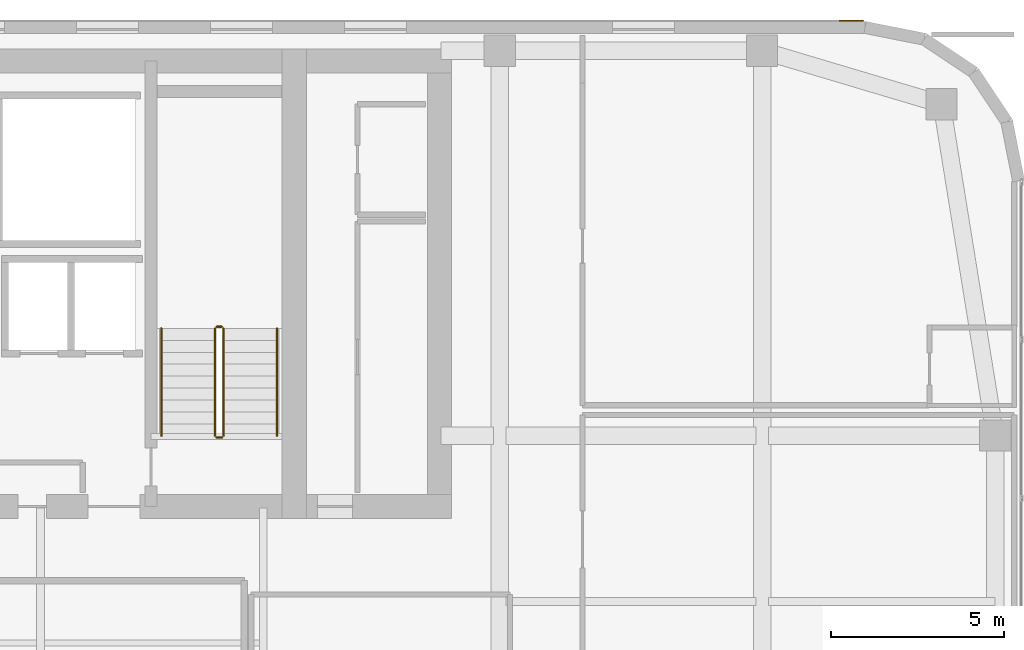
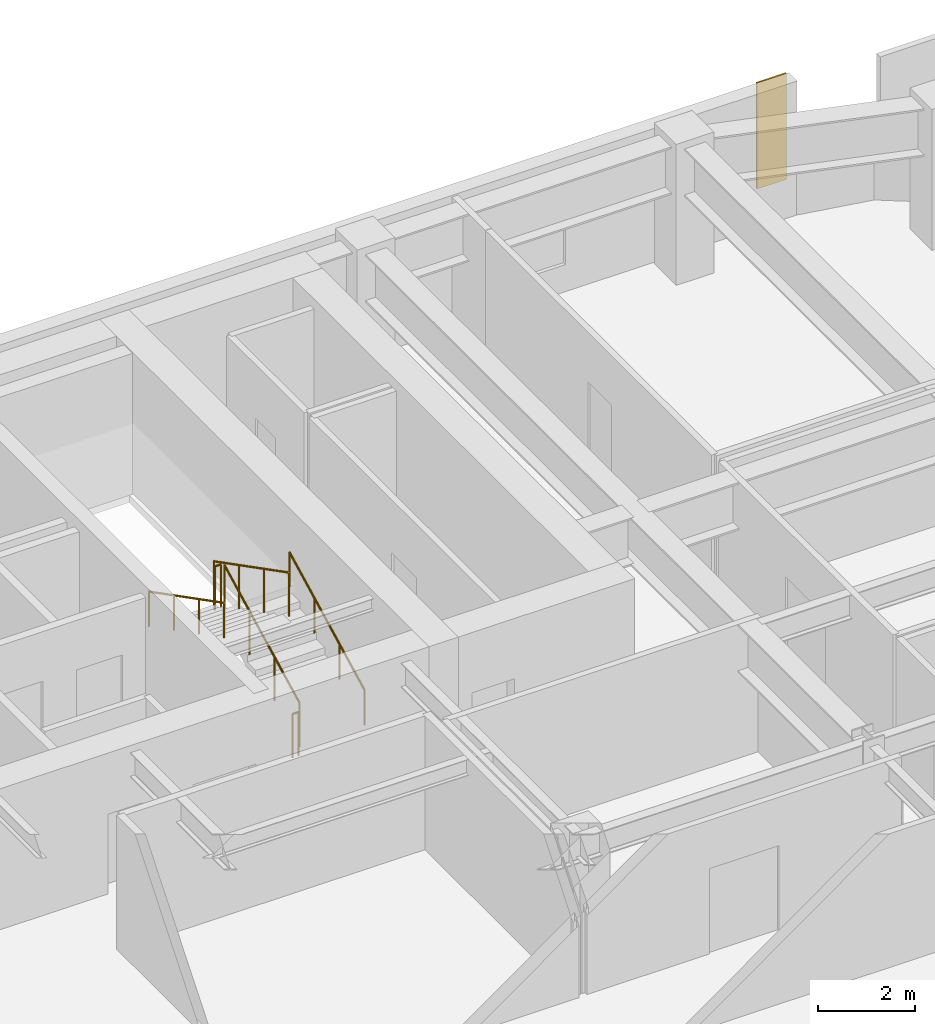
# One storey, part 31 of 31: 6 railings, 1 covering.
"""IFC4 building model written with IfcOpenShell, lengths in metres."""

import ifcopenshell
import ifcopenshell.guid

model = None  # the IFC model being written
_history = None  # IfcOwnerHistory: only IFC2X3 demands one
_inside = {}  # id of a spatial element -> (the spatial element, [elements in it])
_under = {}  # id of a project, library or spatial element -> (it, [spatial elements below it])
_declared = {}  # id of a project -> (the project, [libraries it declares])
_typed = {}  # id of a type object -> (the type object, [elements of that type])
_made_of = {}  # id of a material, layer set ... -> (it, [elements and type objects made of it])


def new_model(schema):
    """Start an empty IFC model of exactly this schema.

    Asked for "IFC4X3", IfcOpenShell would pick the latest addendum, in which some entities
    have other attributes; the version numbers below select the first issue.
    IFC2X3 requires an IfcOwnerHistory on every rooted entity: one is made here for all.
    """
    global model, _history
    if schema == "IFC4X3":
        model = ifcopenshell.file(schema_version=(4, 3, 0, 0))
    else:
        model = ifcopenshell.file(schema=schema)
    _inside.clear()
    _under.clear()
    _declared.clear()
    _typed.clear()
    _made_of.clear()
    _history = None
    if model.schema == "IFC2X3":
        org = make("IfcOrganization", Name="unknown")
        user = make(
            "IfcPersonAndOrganization",
            ThePerson=make("IfcPerson", FamilyName="unknown"),
            TheOrganization=org,
        )
        app = make(
            "IfcApplication",
            ApplicationDeveloper=org,
            Version="unknown",
            ApplicationFullName="unknown",
            ApplicationIdentifier="unknown",
        )
        _history = make(
            "IfcOwnerHistory",
            OwningUser=user,
            OwningApplication=app,
            ChangeAction="ADDED",
            CreationDate=0,
        )
    return model


def make(cls, **values):
    """One entity of the class cls with the attributes given. An attribute that is None is left unset."""
    return model.create_entity(
        cls, **{name: value for name, value in values.items() if value is not None}
    )


def rooted(cls, **values):
    """An entity with a GlobalId (a new one), such as an element, a storey or a relation."""
    return make(cls, GlobalId=ifcopenshell.guid.new(), OwnerHistory=_history, **values)


def si_unit(unit_type, name, prefix=None):
    """IfcSIUnit, for example si_unit("LENGTHUNIT", "METRE", prefix="MILLI")."""
    return make("IfcSIUnit", UnitType=unit_type, Prefix=prefix, Name=name)


def assignment(units):
    """IfcUnitAssignment: the units of a project."""
    return None if units is None else make("IfcUnitAssignment", Units=units)


def point(xyz):
    """IfcCartesianPoint."""
    return None if xyz is None else make("IfcCartesianPoint", Coordinates=xyz)


def direction(xyz):
    """IfcDirection."""
    return None if xyz is None else make("IfcDirection", DirectionRatios=xyz)


def frame(location, z_axis=None, x_axis=None):
    """IfcAxis2Placement3D, a coordinate frame: its origin and axes. An axis left out is left unset."""
    return make(
        "IfcAxis2Placement3D",
        Location=point(location),
        Axis=direction(z_axis),
        RefDirection=direction(x_axis),
    )


def frame_2d(location, x_axis=None):
    """IfcAxis2Placement2D, a coordinate frame in the plane: its origin and x axis."""
    return make(
        "IfcAxis2Placement2D", Location=point(location), RefDirection=direction(x_axis)
    )


def origin():
    """The frame at (0, 0, 0) with its axes left unset."""
    return frame((0.0, 0.0, 0.0))


def origin_2d():
    """The frame at (0, 0) in the plane with its x axis left unset."""
    return frame_2d((0.0, 0.0))


def place(relative_to, where):
    """IfcLocalPlacement: puts the frame where relative to a parent placement (None: the world)."""
    return make(
        "IfcLocalPlacement", PlacementRelTo=relative_to, RelativePlacement=where
    )


def context(
    kind, dimensions, precision=None, world=None, true_north=None, identifier=None
):
    """IfcGeometricRepresentationContext, for example the 3D "Model" context."""
    return make(
        "IfcGeometricRepresentationContext",
        ContextIdentifier=identifier,
        ContextType=kind,
        CoordinateSpaceDimension=dimensions,
        Precision=precision,
        WorldCoordinateSystem=world,
        TrueNorth=true_north,
    )


def subcontext(parent, identifier, kind, view, scale=None):
    """IfcGeometricRepresentationSubContext, for example "Body" below "Model"."""
    return make(
        "IfcGeometricRepresentationSubContext",
        ContextIdentifier=identifier,
        ContextType=kind,
        ParentContext=parent,
        TargetScale=scale,
        TargetView=view,
    )


def project(units=None, contexts=None):
    """IfcProject with its units and contexts."""
    return rooted(
        "IfcProject",
        Name="project",
        RepresentationContexts=contexts,
        UnitsInContext=assignment(units),
    )


def spatial(cls, under=None, at=None, **own):
    """A site, building, storey or space (cls), placed at a placement, below another one or the project."""
    s = rooted(cls, ObjectPlacement=at, **own)
    if under is not None:
        _under.setdefault(under.id(), (under, []))[1].append(s)
    return s


def polyline(points):
    """IfcPolyline through the points."""
    return make("IfcPolyline", Points=[point(p) for p in points])


def profile(cls, at=None, kind="AREA", **sizes):
    """A parametric profile (cls). Its sizes go by their IFC names, for example OverallWidth=200.0."""
    return make(cls, ProfileType=kind, Position=at, **sizes)


def circle(**sizes):
    """IfcCircleProfileDef."""
    return profile("IfcCircleProfileDef", **sizes)


def outline(outer, holes=None, kind="AREA"):
    """IfcArbitraryClosedProfileDef: a profile drawn as a closed curve; with holes, ...WithVoids."""
    if holes is None:
        return make("IfcArbitraryClosedProfileDef", ProfileType=kind, OuterCurve=outer)
    return make(
        "IfcArbitraryProfileDefWithVoids",
        ProfileType=kind,
        OuterCurve=outer,
        InnerCurves=holes,
    )


def extrude(swept, where, along, depth):
    """IfcExtrudedAreaSolid: the profile swept, set in the frame where, extruded along a direction by depth."""
    return make(
        "IfcExtrudedAreaSolid",
        SweptArea=swept,
        Position=where,
        ExtrudedDirection=direction(along),
        Depth=depth,
    )


def shape(context_of_items, identifier, shape_type, items):
    """IfcShapeRepresentation: the items that make up one representation, for example the "Body"."""
    return make(
        "IfcShapeRepresentation",
        ContextOfItems=context_of_items,
        RepresentationIdentifier=identifier,
        RepresentationType=shape_type,
        Items=items,
    )


def material(Name=None, Category=None):
    """IfcMaterial."""
    return make("IfcMaterial", Name=Name, Category=Category)


def layer(
    of_material, thickness, ventilated=None, Name=None, Category=None, Priority=None
):
    """IfcMaterialLayer: one layer of a wall or slab, of a material (None: an air gap)."""
    return make(
        "IfcMaterialLayer",
        Material=of_material,
        LayerThickness=thickness,
        IsVentilated=ventilated,
        Name=Name,
        Category=Category,
        Priority=Priority,
    )


def layer_set(layers, Name=None):
    """IfcMaterialLayerSet."""
    return make("IfcMaterialLayerSet", MaterialLayers=layers, LayerSetName=Name)


def made_of(thing, what):
    """Note that an element or type object is made of a material, layer set ...; save() writes the relation."""
    if what is not None:
        _made_of.setdefault(what.id(), (what, []))[1].append(thing)
    return thing


def type_object(cls, material=None, **own):
    """A type object (cls), such as IfcWallType, which elements share."""
    return made_of(rooted(cls, **own), material)


def element(
    cls,
    number,
    at=None,
    inside=None,
    cuts=None,
    type_object=None,
    material=None,
    context=None,
    identifier="Body",
    shape_type=None,
    held_by="IfcProductDefinitionShape",
    body=None,
    shapes=None,
    **own,
):
    """One element of the class cls, such as IfcWall. Its Tag is "e" and its number.

    at: its placement. inside: the storey or other place that contains it. cuts: it is an
    opening in that element (IfcRelVoidsElement). A single representation is given by context,
    identifier, shape_type and body (its items); several are given by shapes. held_by: the class
    of the entity that holds the representations. save() writes the other relations.
    """
    e = rooted(cls, Tag="e%d" % number, ObjectPlacement=at, **own)
    if body is not None:
        shapes = [shape(context, identifier, shape_type, body)]
    if shapes is not None:
        e.Representation = make(held_by, Representations=shapes)
    if inside is not None:
        _inside.setdefault(inside.id(), (inside, []))[1].append(e)
    if cuts is not None:
        rooted(
            "IfcRelVoidsElement", RelatingBuildingElement=cuts, RelatedOpeningElement=e
        )
    if type_object is not None:
        _typed.setdefault(type_object.id(), (type_object, []))[1].append(e)
    return made_of(e, material)


def aggregate(whole, parts):
    """IfcRelAggregates: a whole, such as a stair, and the parts it consists of."""
    return rooted("IfcRelAggregates", RelatingObject=whole, RelatedObjects=parts)


def save(model, path):
    """Write the relations noted so far, then the file.

    IfcRelAggregates (storeys below a building ...), IfcRelContainedInSpatialStructure (elements
    in a storey), IfcRelDefinesByType, IfcRelAssociatesMaterial and IfcRelDeclares: one each for
    every whole, place, type object, material and project.
    """
    for whole, parts in _under.values():
        aggregate(whole, parts)
    for where, things in _inside.values():
        rooted(
            "IfcRelContainedInSpatialStructure",
            RelatedElements=things,
            RelatingStructure=where,
        )
    for kind, things in _typed.values():
        rooted("IfcRelDefinesByType", RelatedObjects=things, RelatingType=kind)
    for what, things in _made_of.values():
        rooted("IfcRelAssociatesMaterial", RelatedObjects=things, RelatingMaterial=what)
    for by, libraries in _declared.values():
        rooted("IfcRelDeclares", RelatingContext=by, RelatedDefinitions=libraries)
    model.write(path)


model = new_model("IFC4")

# Units and contexts
model_context = context("Model", 3, precision=1e-05, world=origin(), true_north=direction((0.0, 1.0)))
body_context = subcontext(model_context, "Body", "Model", "MODEL_VIEW")
ifc_project = project(units=[si_unit("LENGTHUNIT", "METRE"), si_unit("AREAUNIT", "SQUARE_METRE"), si_unit("VOLUMEUNIT", "CUBIC_METRE"), si_unit("PLANEANGLEUNIT", "RADIAN"), si_unit("MASSUNIT", "GRAM", prefix="KILO")], contexts=[model_context])

# Site, building, storey
site_placement = place(None, origin())
site = spatial("IfcSite", under=ifc_project, at=site_placement, CompositionType="ELEMENT")
building_placement = place(site_placement, origin())
building = spatial("IfcBuilding", under=site, at=building_placement, Name="Tolvann Quenvar Hotel", CompositionType="ELEMENT")
storey_placement = place(building_placement, frame((0.0, 0.0, 125.75)))
storey = spatial("IfcBuildingStorey", under=building, at=storey_placement, Name="L32", CompositionType="ELEMENT", Elevation=125.75)

# Covering
ifc_material_1 = material(Name="Kiln-fired red architectural face brick cladding", Category="masonry")
ifc_layer = layer(ifc_material_1, 0.0400390625)
ifc_layer_set = layer_set([ifc_layer], Name="Kiln-fired red architectural face brick cladding")
covering_type = type_object("IfcCoveringType", Name="COV_CLAD_BRICK_40", PredefinedType="CLADDING", material=ifc_layer_set)
covering_placement = place(storey_placement, frame((0.0, 0.0, 0.699951171875)))
element("IfcCovering", 1, at=covering_placement, inside=storey, type_object=covering_type, Name="Brick Pier Cladding (L32-E18-P1)", PredefinedType="CLADDING", context=body_context, shape_type="SweptSolid", body=[
    extrude(outline(polyline([(52.332763671875, 46.0), (51.6328125, 46.0), (51.6328125, 46.0400390625), (52.332763671875, 46.0400390625), (52.332763671875, 46.0)])), origin(), (0.0, 0.0, 1.0), 2.670166015625),
])

# Railings
ifc_material_2 = material(Name="Brushed 316 stainless steel balustrade and handrail", Category="steel")
railing_type_1 = type_object("IfcRailingType", Name="GUARDRAIL", PredefinedType="GUARDRAIL", material=ifc_material_2)
railing_1_placement = place(storey_placement, frame((33.800048828125, 34.0, 0.177490234375)))
element("IfcRailing", 2, at=railing_1_placement, inside=storey, type_object=railing_type_1, Name="L32 ST-C2 stair guard 1", PredefinedType="GUARDRAIL", context=body_context, shape_type="SweptSolid", body=[
    extrude(circle(Radius=0.02392578125, at=origin_2d()), frame((0.0, 0.0, 1.09619140625), z_axis=(0.0, 0.889221982265, 0.45747597342), x_axis=(-1.0, 0.0, 0.0)), (0.0, 0.0, 1.0), 3.49169921875),
    extrude(circle(Radius=0.02099609375, at=origin_2d()), origin(), (0.0, 0.0, 1.0), 1.072021484375),
    extrude(circle(Radius=0.02099609375, at=origin_2d()), frame((0.0, 1.034912109375, 0.532470703125)), (0.0, 0.0, 1.0), 1.072021484375),
    extrude(circle(Radius=0.02099609375, at=origin_2d()), frame((0.0, 2.070068359375, 1.06494140625)), (0.0, 0.0, 1.0), 1.072021484375),
    extrude(circle(Radius=0.02099609375, at=origin_2d()), frame((0.0, 3.10498046875, 1.597412109375)), (0.0, 0.0, 1.0), 1.072021484375),
])
railing_2_placement = place(storey_placement, frame((33.75, 37.155029296875, 1.77490234375)))
element("IfcRailing", 3, at=railing_2_placement, inside=storey, type_object=railing_type_1, Name="L32 ST-C2 stair guard 2", PredefinedType="GUARDRAIL", context=body_context, shape_type="SweptSolid", body=[
    extrude(circle(Radius=0.02392578125, at=origin_2d()), frame((0.0, 0.0, 1.09619140625), z_axis=(-1.0, 0.0, 0.0), x_axis=(0.0, -1.0, 0.0)), (0.0, 0.0, 1.0), 0.14990234375),
    extrude(circle(Radius=0.02099609375, at=origin_2d()), origin(), (0.0, 0.0, 1.0), 1.072021484375),
    extrude(circle(Radius=0.02099609375, at=origin_2d()), frame((-0.14990234375, 0.0, 0.0)), (0.0, 0.0, 1.0), 1.072021484375),
])
railing_3_placement = place(storey_placement, frame((33.550048828125, 37.10498046875, 1.952392578125)))
element("IfcRailing", 4, at=railing_3_placement, inside=storey, type_object=railing_type_1, Name="L32 ST-C2 stair guard 3", PredefinedType="GUARDRAIL", context=body_context, shape_type="SweptSolid", body=[
    extrude(circle(Radius=0.02392578125, at=origin_2d()), frame((0.0, 0.0, 1.09619140625), z_axis=(0.0, -0.88919353882, 0.457531256332), x_axis=(1.0, 0.0, 0.0)), (0.0, 0.0, 1.0), 3.491943359375),
    extrude(circle(Radius=0.02099609375, at=origin_2d()), origin(), (0.0, 0.0, 1.0), 1.072021484375),
    extrude(circle(Radius=0.02099609375, at=origin_2d()), frame((0.0, -1.034912109375, 0.532470703125)), (0.0, 0.0, 1.0), 1.072021484375),
    extrude(circle(Radius=0.02099609375, at=origin_2d()), frame((0.0, -2.070068359375, 1.065185546875)), (0.0, 0.0, 1.0), 1.072021484375),
    extrude(circle(Radius=0.02099609375, at=origin_2d()), frame((0.0, -3.10498046875, 1.59765625)), (0.0, 0.0, 1.0), 1.072021484375),
])
railing_4_placement = place(storey_placement, frame((33.75, 33.949951171875, 0.0)))
element("IfcRailing", 5, at=railing_4_placement, inside=storey, type_object=railing_type_1, Name="L32 ST-C2 stair guard 4", PredefinedType="GUARDRAIL", context=body_context, shape_type="SweptSolid", body=[
    extrude(circle(Radius=0.02392578125, at=origin_2d()), frame((0.0, 0.0, 1.09619140625), z_axis=(-1.0, 0.0, 0.0), x_axis=(0.0, -1.0, 0.0)), (0.0, 0.0, 1.0), 0.14990234375),
    extrude(circle(Radius=0.02099609375, at=origin_2d()), origin(), (0.0, 0.0, 1.0), 1.072021484375),
    extrude(circle(Radius=0.02099609375, at=origin_2d()), frame((-0.14990234375, 0.0, 0.0)), (0.0, 0.0, 1.0), 1.072021484375),
])
railing_type_2 = type_object("IfcRailingType", Name="HANDRAIL", PredefinedType="HANDRAIL", material=ifc_material_2)
railing_5_placement = place(storey_placement, frame((35.35009765625, 34.0, 0.177490234375)))
element("IfcRailing", 6, at=railing_5_placement, inside=storey, type_object=railing_type_2, Name="L32 ST-C2 stair handrail 1", PredefinedType="HANDRAIL", context=body_context, shape_type="SweptSolid", body=[
    extrude(circle(Radius=0.02392578125, at=origin_2d()), frame((0.0, 0.0, 0.8759765625), z_axis=(0.0, 0.889221982265, 0.45747597342), x_axis=(-1.0, 0.0, 0.0)), (0.0, 0.0, 1.0), 3.49169921875),
    extrude(circle(Radius=0.02099609375, at=origin_2d()), origin(), (0.0, 0.0, 1.0), 0.851806640625),
    extrude(circle(Radius=0.02099609375, at=origin_2d()), frame((0.0, 1.034912109375, 0.532470703125)), (0.0, 0.0, 1.0), 0.851806640625),
    extrude(circle(Radius=0.02099609375, at=origin_2d()), frame((0.0, 2.070068359375, 1.06494140625)), (0.0, 0.0, 1.0), 0.851806640625),
    extrude(circle(Radius=0.02099609375, at=origin_2d()), frame((0.0, 3.10498046875, 1.597412109375)), (0.0, 0.0, 1.0), 0.851806640625),
])
railing_6_placement = place(storey_placement, frame((32.0, 37.10498046875, 1.952392578125)))
element("IfcRailing", 7, at=railing_6_placement, inside=storey, type_object=railing_type_2, Name="L32 ST-C2 stair handrail 2", PredefinedType="HANDRAIL", context=body_context, shape_type="SweptSolid", body=[
    extrude(circle(Radius=0.02392578125, at=origin_2d()), frame((0.0, 0.0, 0.8759765625), z_axis=(0.0, -0.88919353882, 0.457531256332), x_axis=(1.0, 0.0, 0.0)), (0.0, 0.0, 1.0), 3.491943359375),
    extrude(circle(Radius=0.02099609375, at=origin_2d()), origin(), (0.0, 0.0, 1.0), 0.851806640625),
    extrude(circle(Radius=0.02099609375, at=origin_2d()), frame((0.0, -1.034912109375, 0.532470703125)), (0.0, 0.0, 1.0), 0.851806640625),
    extrude(circle(Radius=0.02099609375, at=origin_2d()), frame((0.0, -2.070068359375, 1.065185546875)), (0.0, 0.0, 1.0), 0.851806640625),
    extrude(circle(Radius=0.02099609375, at=origin_2d()), frame((0.0, -3.10498046875, 1.59765625)), (0.0, 0.0, 1.0), 0.851806640625),
])

save(model, "model.ifc")
